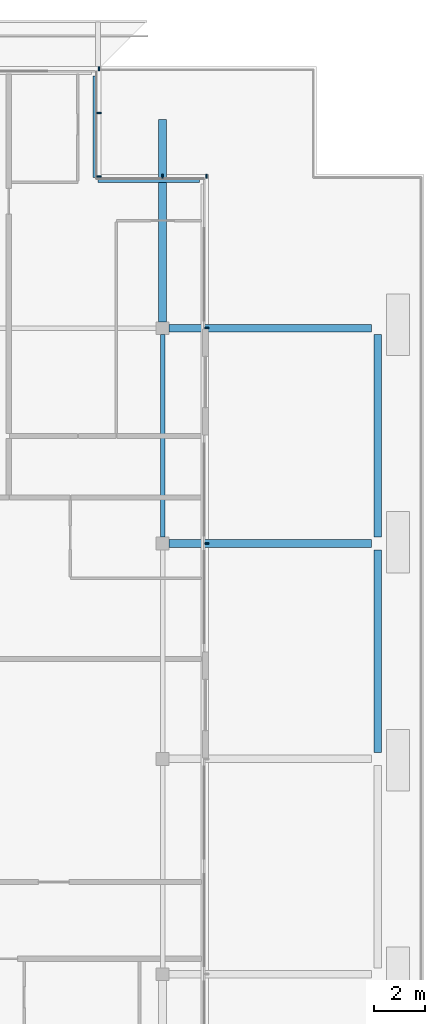
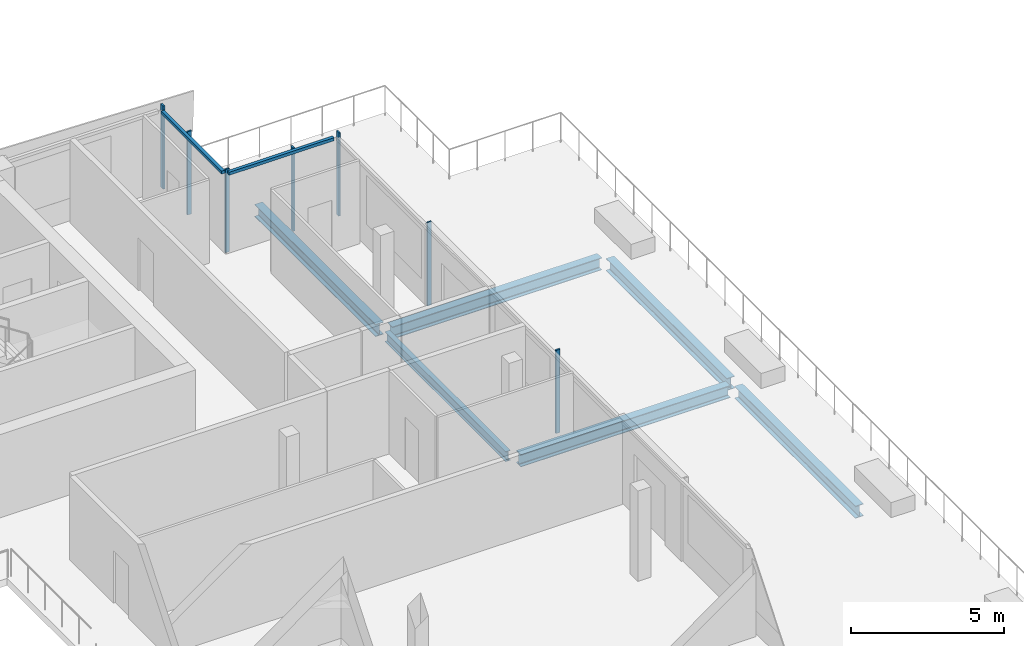
# One storey, part 14 of 29: 9 members, 6 beams, 4 elements without a shape of their own.
"""IFC4 building model written with IfcOpenShell, lengths in metres."""

from ifc_helpers import new_model, si_unit, direction, frame, origin, origin_2d, place, context, subcontext, project, spatial, rectangle, i_section, extrude, material, material_profile, profile_set, type_object, element, aggregate, save


model = new_model("IFC4")

# Units and contexts
model_context = context("Model", 3, precision=1e-05, world=origin(), true_north=direction((0.0, 1.0)))
body_context = subcontext(model_context, "Body", "Model", "MODEL_VIEW")
ifc_project = project(units=[si_unit("LENGTHUNIT", "METRE"), si_unit("AREAUNIT", "SQUARE_METRE"), si_unit("VOLUMEUNIT", "CUBIC_METRE"), si_unit("PLANEANGLEUNIT", "RADIAN"), si_unit("MASSUNIT", "GRAM", prefix="KILO")], contexts=[model_context])

# Site, building, storey
site_placement = place(None, origin())
site = spatial("IfcSite", under=ifc_project, at=site_placement, CompositionType="ELEMENT")
building_placement = place(site_placement, origin())
building = spatial("IfcBuilding", under=site, at=building_placement, Name="Saffron Gate Tower", CompositionType="ELEMENT")
storey_placement = place(building_placement, frame((0.0, 0.0, 270.75)))
storey = spatial("IfcBuildingStorey", under=building, at=storey_placement, Name="L65", CompositionType="ELEMENT", Elevation=270.75)

# Beams
ifc_material_1 = material(Name="Structural steel S355", Category="steel")
ifc_material_profile_1 = material_profile(ifc_material_1, i_section(OverallWidth=0.179931640625, OverallDepth=0.39990234375, WebThickness=0.008544921875, FlangeThickness=0.013427734375, FilletRadius=0.02099609375, at=origin_2d()))
ifc_profile_set_1 = profile_set([ifc_material_profile_1], Name="Structural steel S355")
beam_type_1 = type_object("IfcBeamType", Name="B5 IPE 400", PredefinedType="SPANDREL", material=ifc_profile_set_1)
beam_1_placement = place(storey_placement, frame((117.0, 57.25, -0.47998046875), z_axis=(0.0, 1.0, 0.0), x_axis=(-1.0, 0.0, 0.0)))
element("IfcBeam", 1, at=beam_1_placement, inside=storey, type_object=beam_type_1, Name="B5 SPANDREL BEAM", PredefinedType="SPANDREL", context=body_context, shape_type="SweptSolid", body=[
    extrude(i_section(OverallWidth=0.179931640625, OverallDepth=0.39990234375, WebThickness=0.008544921875, FlangeThickness=0.013427734375, FilletRadius=0.02099609375, at=origin_2d()), origin(), (0.0, 0.0, 1.0), 7.89990234375),
])
ifc_material_profile_2 = material_profile(ifc_material_1, i_section(OverallWidth=0.300048828125, OverallDepth=0.489990234375, WebThickness=0.011962890625, FlangeThickness=0.02294921875, FilletRadius=0.027099609375, at=origin_2d()))
ifc_profile_set_2 = profile_set([ifc_material_profile_2], Name="Structural steel S355")
beam_type_2 = type_object("IfcBeamType", Name="B8 HEA 500", PredefinedType="BEAM", material=ifc_profile_set_2)
for number, where, z_axis, x_axis, name in (
    (2, (117.25, 57.0, -0.52490234375), (1.0, 0.0, 0.0), (0.0, 1.0, 0.0), "B8 TERRACE BEAM"),
    (3, (117.25, 65.39990234375, -0.52490234375), (1.0, 0.0, 0.0), (0.0, 1.0, 0.0), "B8 TERRACE BEAM"),
):
    element("IfcBeam", number, at=place(storey_placement, frame(where, z_axis=z_axis, x_axis=x_axis)), inside=storey, type_object=beam_type_2, Name=name, PredefinedType="BEAM", context=body_context, shape_type="SweptSolid", body=[
        extrude(i_section(OverallWidth=0.300048828125, OverallDepth=0.489990234375, WebThickness=0.011962890625, FlangeThickness=0.02294921875, FilletRadius=0.027099609375, at=origin_2d()), origin(), (0.0, 0.0, 1.0), 7.89990234375),
    ])
beam_2_placement = place(storey_placement, frame((117.0, 65.64990234375, -0.52490234375), z_axis=(0.0, 1.0, 0.0), x_axis=(-1.0, 0.0, 0.0)))
element("IfcBeam", 4, at=beam_2_placement, inside=storey, type_object=beam_type_2, Name="B8 TERRACE BEAM", PredefinedType="BEAM", context=body_context, shape_type="SweptSolid", body=[
    extrude(i_section(OverallWidth=0.300048828125, OverallDepth=0.489990234375, WebThickness=0.011962890625, FlangeThickness=0.02294921875, FilletRadius=0.027099609375, at=origin_2d()), origin(), (0.0, 0.0, 1.0), 7.900146484375),
])
for number, where, z_axis, x_axis, name in (
    (5, (125.39990234375, 48.85009765625, -0.52490234375), (0.0, 1.0, 0.0), (-1.0, 0.0, 0.0), "B8 TERRACE BEAM"),
    (6, (125.39990234375, 57.25, -0.52490234375), (0.0, 1.0, 0.0), (-1.0, 0.0, 0.0), "B8 TERRACE BEAM"),
):
    element("IfcBeam", number, at=place(storey_placement, frame(where, z_axis=z_axis, x_axis=x_axis)), inside=storey, type_object=beam_type_2, Name=name, PredefinedType="BEAM", context=body_context, shape_type="SweptSolid", body=[
        extrude(i_section(OverallWidth=0.300048828125, OverallDepth=0.489990234375, WebThickness=0.011962890625, FlangeThickness=0.02294921875, FilletRadius=0.027099609375, at=origin_2d()), origin(), (0.0, 0.0, 1.0), 7.89990234375),
    ])

# Curtain wall, members
ifc_material_2 = material(Name="Aluminium, bronze anodised", Category="aluminium")
curtain_wall_type_1 = type_object("IfcCurtainWallType", Name="CWS2 curtain wall side facades", PredefinedType="NOTDEFINED", material=ifc_material_2)
curtain_wall_1_placement = place(storey_placement, origin())
curtain_wall_1 = element("IfcCurtainWall", 7, at=curtain_wall_1_placement, inside=storey, type_object=curtain_wall_type_1, Name="CWS2 run 4", PredefinedType="NOTDEFINED")
ifc_material_profile_3 = material_profile(ifc_material_2, rectangle(XDim=0.159912109375, YDim=0.06005859375, at=origin_2d()))
ifc_profile_set_3 = profile_set([ifc_material_profile_3], Name="Aluminium, bronze anodised")
member_type_1 = type_object("IfcMemberType", Name="CWS2 mullion 60x160", PredefinedType="MULLION", material=ifc_profile_set_3)
member_1_placement = place(storey_placement, frame((118.719970703125, 57.0, 0.0), z_axis=(0.0, 0.0, 1.0), x_axis=(-1.0, 0.0, 0.0)))
member_1 = element("IfcMember", 8, at=member_1_placement, type_object=member_type_1, Name="CWS2 mullion 4", PredefinedType="MULLION", context=body_context, shape_type="SweptSolid", body=[
    extrude(rectangle(XDim=0.159912109375, YDim=0.06005859375, at=origin_2d()), origin(), (0.0, 0.0, 1.0), 3.320068359375),
])
member_2_placement = place(storey_placement, frame((118.719970703125, 65.39990234375, 0.0), z_axis=(0.0, 0.0, 1.0), x_axis=(-1.0, 0.0, 0.0)))
member_2 = element("IfcMember", 9, at=member_2_placement, type_object=member_type_1, Name="CWS2 mullion 5", PredefinedType="MULLION", context=body_context, shape_type="SweptSolid", body=[
    extrude(rectangle(XDim=0.159912109375, YDim=0.06005859375, at=origin_2d()), origin(), (0.0, 0.0, 1.0), 3.320068359375),
])
aggregate(curtain_wall_1, [member_1, member_2])

# Curtain wall, member
curtain_wall_type_2 = type_object("IfcCurtainWallType", Name="CWS3 curtain wall rear facade", PredefinedType="NOTDEFINED", material=ifc_material_2)
curtain_wall_2_placement = place(storey_placement, origin())
curtain_wall_2 = element("IfcCurtainWall", 10, at=curtain_wall_2_placement, inside=storey, type_object=curtain_wall_type_2, Name="CWS3 run 7", PredefinedType="NOTDEFINED")
ifc_material_profile_4 = material_profile(ifc_material_2, rectangle(XDim=0.159912109375, YDim=0.070068359375, at=origin_2d()))
ifc_profile_set_4 = profile_set([ifc_material_profile_4], Name="Aluminium, bronze anodised")
member_type_2 = type_object("IfcMemberType", Name="CWS3 mullion 70x160", PredefinedType="MULLION", material=ifc_profile_set_4)
member_3_placement = place(storey_placement, frame((114.52001953125, 75.52001953125, 0.0), z_axis=(0.0, 0.0, 1.0), x_axis=(0.0, -1.0, 0.0)))
member_3 = element("IfcMember", 11, at=member_3_placement, type_object=member_type_2, Name="CWS3 mullion 1", PredefinedType="MULLION", context=body_context, shape_type="SweptSolid", body=[
    extrude(rectangle(XDim=0.159912109375, YDim=0.070068359375, at=origin_2d()), origin(), (0.0, 0.0, 1.0), 3.320068359375),
])
aggregate(curtain_wall_2, [member_3])

curtain_wall_type_3 = type_object("IfcCurtainWallType", Name="CWS4 curtain wall corner returns", PredefinedType="NOTDEFINED", material=ifc_material_2)
curtain_wall_3_placement = place(storey_placement, origin())
curtain_wall_3 = element("IfcCurtainWall", 12, at=curtain_wall_3_placement, inside=storey, type_object=curtain_wall_type_3, Name="CWS4 run 5", PredefinedType="NOTDEFINED")
ifc_material_profile_5 = material_profile(ifc_material_2, rectangle(XDim=0.1201171875, YDim=0.1201171875, at=origin_2d()))
ifc_profile_set_5 = profile_set([ifc_material_profile_5], Name="Aluminium, bronze anodised")
member_type_3 = type_object("IfcMemberType", Name="CWS4 head transom", PredefinedType="USERDEFINED", material=ifc_profile_set_5)
member_4_placement = place(storey_placement, frame((118.431884765625, 71.152099609375, 3.260009765625), z_axis=(-1.0, 0.0, 0.0), x_axis=(0.0, -1.0, 0.0)))
member_4 = element("IfcMember", 13, at=member_4_placement, type_object=member_type_3, Name="CWS4 head transom", ObjectType="TRANSOM", PredefinedType="USERDEFINED", context=body_context, shape_type="SweptSolid", body=[
    extrude(rectangle(XDim=0.1201171875, YDim=0.1201171875, at=origin_2d()), origin(), (0.0, 0.0, 1.0), 3.9599609375),
])

curtain_wall_4_placement = place(storey_placement, origin())
curtain_wall_4 = element("IfcCurtainWall", 14, at=curtain_wall_4_placement, inside=storey, type_object=curtain_wall_type_3, Name="CWS4 run 6", PredefinedType="NOTDEFINED")
member_5_placement = place(storey_placement, frame((114.35205078125, 71.27197265625, 3.260009765625), z_axis=(0.0, 1.0, 0.0), x_axis=(-1.0, 0.0, 0.0)))
member_5 = element("IfcMember", 15, at=member_5_placement, type_object=member_type_3, Name="CWS4 head transom", ObjectType="TRANSOM", PredefinedType="USERDEFINED", context=body_context, shape_type="SweptSolid", body=[
    extrude(rectangle(XDim=0.1201171875, YDim=0.1201171875, at=origin_2d()), origin(), (0.0, 0.0, 1.0), 3.9599609375),
])

# Member
ifc_material_profile_6 = material_profile(ifc_material_2, rectangle(XDim=0.159912109375, YDim=0.06005859375, at=origin_2d()))
ifc_profile_set_6 = profile_set([ifc_material_profile_6], Name="Aluminium, bronze anodised")
member_type_4 = type_object("IfcMemberType", Name="CWS4 mullion 60x160", PredefinedType="MULLION", material=ifc_profile_set_6)
member_6_placement = place(storey_placement, frame((118.719970703125, 71.320068359375, 0.0), z_axis=(0.0, 0.0, 1.0), x_axis=(0.0, -1.0, 0.0)))
member_6 = element("IfcMember", 16, at=member_6_placement, type_object=member_type_4, Name="CWS4 mullion 1", PredefinedType="MULLION", context=body_context, shape_type="SweptSolid", body=[
    extrude(rectangle(XDim=0.159912109375, YDim=0.06005859375, at=origin_2d()), origin(), (0.0, 0.0, 1.0), 3.320068359375),
])

member_7_placement = place(storey_placement, frame((117.0, 71.320068359375, 0.0), z_axis=(0.0, 0.0, 1.0), x_axis=(0.0, -1.0, 0.0)))
member_7 = element("IfcMember", 17, at=member_7_placement, type_object=member_type_4, Name="CWS4 mullion 2", PredefinedType="MULLION", context=body_context, shape_type="SweptSolid", body=[
    extrude(rectangle(XDim=0.159912109375, YDim=0.06005859375, at=origin_2d()), origin(), (0.0, 0.0, 1.0), 3.320068359375),
])

aggregate(curtain_wall_3, [member_6, member_7, member_4])

member_8_placement = place(storey_placement, frame((114.52001953125, 71.320068359375, 0.0), z_axis=(0.0, 0.0, 1.0), x_axis=(-1.0, 0.0, 0.0)))
member_8 = element("IfcMember", 18, at=member_8_placement, type_object=member_type_4, Name="CWS4 mullion 1", PredefinedType="MULLION", context=body_context, shape_type="SweptSolid", body=[
    extrude(rectangle(XDim=0.159912109375, YDim=0.06005859375, at=origin_2d()), origin(), (0.0, 0.0, 1.0), 3.320068359375),
])

member_9_placement = place(storey_placement, frame((114.52001953125, 73.800048828125, 0.0), z_axis=(0.0, 0.0, 1.0), x_axis=(-1.0, 0.0, 0.0)))
member_9 = element("IfcMember", 19, at=member_9_placement, type_object=member_type_4, Name="CWS4 mullion 2", PredefinedType="MULLION", context=body_context, shape_type="SweptSolid", body=[
    extrude(rectangle(XDim=0.159912109375, YDim=0.06005859375, at=origin_2d()), origin(), (0.0, 0.0, 1.0), 3.320068359375),
])

aggregate(curtain_wall_4, [member_8, member_9, member_5])

save(model, "model.ifc")
